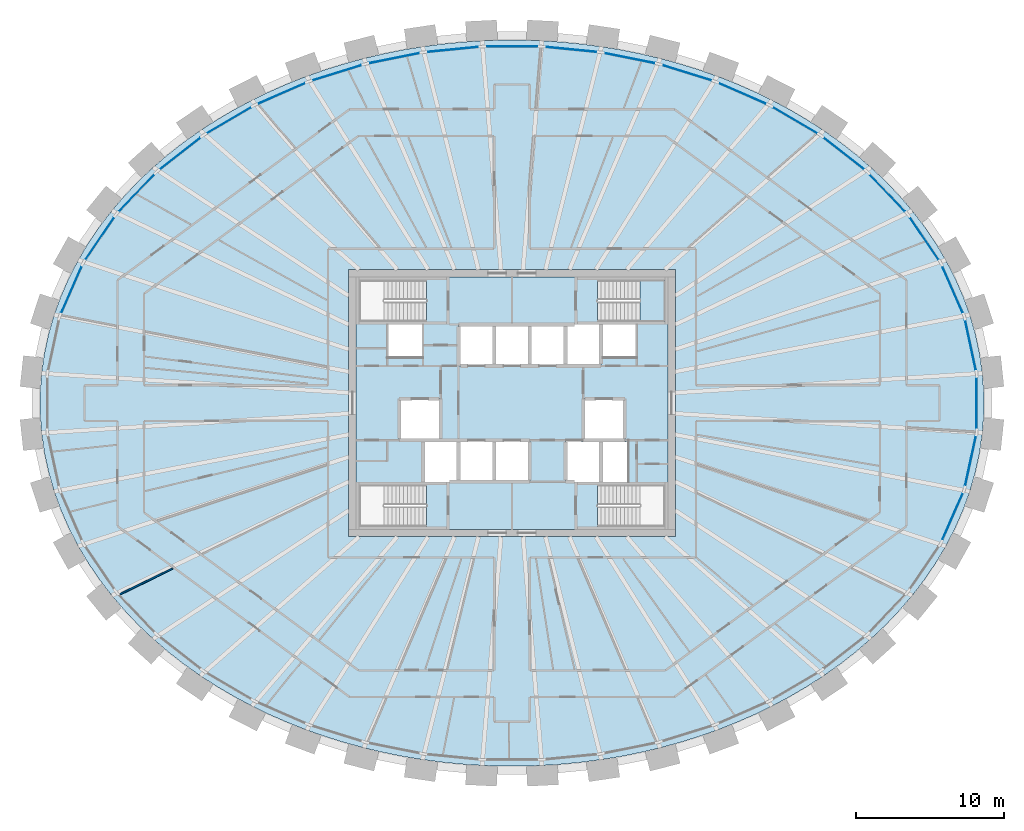
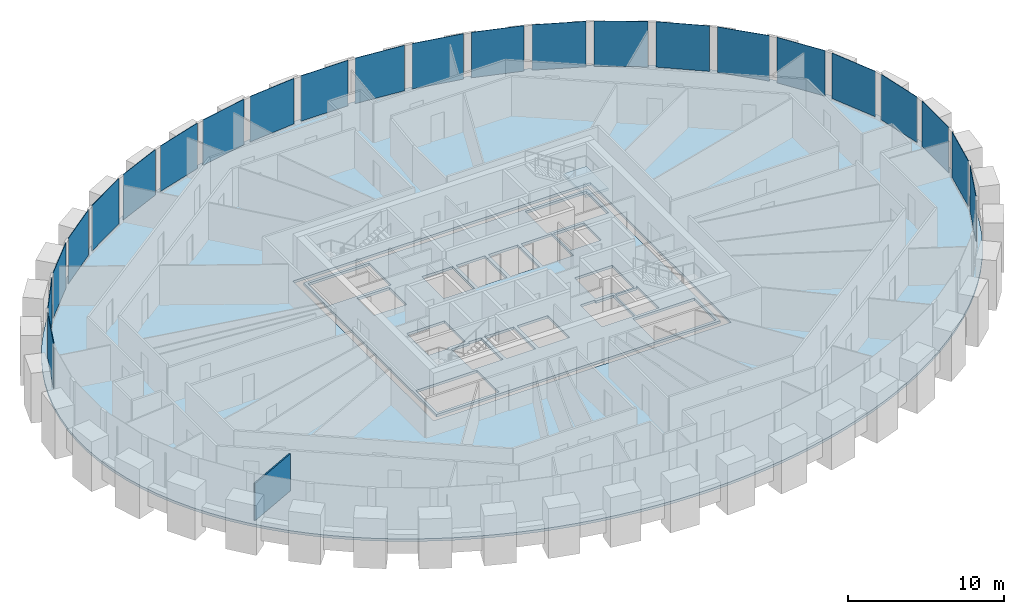
# One storey, part 5 of 12: 23 plates, 3 slabs, 1 wall, 2 elements without a shape of their own.
"""IFC4 building model written with IfcOpenShell, lengths in metres."""

from ifc_helpers import new_model, si_unit, direction, frame, frame_2d, origin, origin_2d, place, context, subcontext, project, spatial, polyline, rectangle, outline, extrude, source, transform, mapped, material, layer, layer_set, type_object, element, aggregate, save


model = new_model("IFC4")

# Units and contexts
model_context = context("Model", 3, precision=1e-05, world=origin(), true_north=direction((0.0, 1.0)))
body_context = subcontext(model_context, "Body", "Model", "MODEL_VIEW")
ifc_project = project(units=[si_unit("LENGTHUNIT", "METRE"), si_unit("AREAUNIT", "SQUARE_METRE"), si_unit("VOLUMEUNIT", "CUBIC_METRE"), si_unit("PLANEANGLEUNIT", "RADIAN"), si_unit("MASSUNIT", "GRAM", prefix="KILO")], contexts=[model_context])

# Site, building, storey
site_placement = place(None, origin())
site = spatial("IfcSite", under=ifc_project, at=site_placement, CompositionType="ELEMENT")
building_placement = place(site_placement, origin())
building = spatial("IfcBuilding", under=site, at=building_placement, Name="Embergate Tower", CompositionType="ELEMENT")
storey_placement = place(building_placement, frame((0.0, 0.0, 269.5)))
storey = spatial("IfcBuildingStorey", under=building, at=storey_placement, Name="L62", CompositionType="ELEMENT", Elevation=269.5)

# Slab
ifc_material_1 = material(Name="Concrete C40", Category="concrete")
ifc_layer_1 = layer(ifc_material_1, 0.199951171875)
ifc_layer_set_1 = layer_set([ifc_layer_1], Name="Concrete C40")
slab_type_1 = type_object("IfcSlabType", Name="Composite floor slab C40 200", PredefinedType="FLOOR", material=ifc_layer_set_1)
shared_shape_1 = source(origin(), body_context, "Body", "SweptSolid", [
    extrude(outline(polyline([(0.0, 0.0), (1.34423828125, 0.0), (2.688232421875, 0.044189453125), (4.033203125, 0.132080078125), (5.37109375, 0.26416015625), (6.701171875, 0.439208984375), (8.033203125, 0.6591796875), (9.35205078125, 0.924072265625), (10.654052734375, 1.232177734375), (11.960205078125, 1.588134765625), (13.244140625, 1.988037109375), (14.504150390625, 2.43017578125), (15.76611328125, 2.926025390625), (16.998046875, 3.465087890625), (18.197998046875, 4.046142578125), (19.396240234375, 4.68603515625), (20.55517578125, 5.3671875), (21.673095703125, 6.089111328125), (22.7822265625, 6.876220703125), (23.842041015625, 7.7041015625), (24.85009765625, 8.569091796875), (25.839111328125, 9.505126953125), (26.76708984375, 10.47802734375), (27.631103515625, 11.485107421875), (28.460205078125, 12.565185546875), (29.216064453125, 13.676025390625), (29.896240234375, 14.816162109375), (30.52001953125, 16.023193359375), (31.06005859375, 17.254150390625), (31.51416015625, 18.505126953125), (31.88916015625, 19.80419921875), (32.172119140625, 21.1181640625), (32.361083984375, 22.441162109375), (32.45703125, 23.781982421875), (32.45703125, 25.126220703125), (32.361083984375, 26.467041015625), (32.172119140625, 27.7900390625), (31.88916015625, 29.10400390625), (31.51416015625, 30.403076171875), (31.06005859375, 31.654052734375), (30.52001953125, 32.885009765625), (29.896240234375, 34.092041015625), (29.216064453125, 35.232177734375), (28.460205078125, 36.343017578125), (27.631103515625, 37.423095703125), (26.76708984375, 38.43017578125), (25.839111328125, 39.403076171875), (24.85009765625, 40.339111328125), (23.842041015625, 41.2041015625), (22.7822265625, 42.031982421875), (21.673095703125, 42.819091796875), (20.55517578125, 43.541015625), (19.396240234375, 44.22216796875), (18.197998046875, 44.862060546875), (16.998046875, 45.443115234375), (15.76611328125, 45.982177734375), (14.504150390625, 46.47802734375), (13.244140625, 46.920166015625), (11.960205078125, 47.320068359375), (10.654052734375, 47.676025390625), (9.35205078125, 47.984130859375), (8.033203125, 48.2490234375), (6.701171875, 48.468994140625), (5.37109375, 48.64404296875), (4.033203125, 48.776123046875), (2.688232421875, 48.864013671875), (1.34423828125, 48.908203125), (0.0, 48.908203125), (-1.343994140625, 48.864013671875), (-2.68896484375, 48.776123046875), (-4.02685546875, 48.64404296875), (-5.35693359375, 48.468994140625), (-6.68896484375, 48.2490234375), (-8.0078125, 47.984130859375), (-9.309814453125, 47.676025390625), (-10.615966796875, 47.320068359375), (-11.89990234375, 46.920166015625), (-13.159912109375, 46.47802734375), (-14.421875, 45.982177734375), (-15.65380859375, 45.443115234375), (-16.853759765625, 44.862060546875), (-18.052001953125, 44.22216796875), (-19.2109375, 43.541015625), (-20.328857421875, 42.819091796875), (-21.43798828125, 42.031982421875), (-22.497802734375, 41.2041015625), (-23.505859375, 40.339111328125), (-24.494873046875, 39.403076171875), (-25.4228515625, 38.43017578125), (-26.286865234375, 37.423095703125), (-27.115966796875, 36.343017578125), (-27.871826171875, 35.232177734375), (-28.552001953125, 34.092041015625), (-29.17578125, 32.885009765625), (-29.7158203125, 31.654052734375), (-30.169921875, 30.403076171875), (-30.544921875, 29.10400390625), (-30.827880859375, 27.7900390625), (-31.016845703125, 26.467041015625), (-31.11279296875, 25.126220703125), (-31.11279296875, 23.781982421875), (-31.016845703125, 22.441162109375), (-30.827880859375, 21.1181640625), (-30.544921875, 19.80419921875), (-30.169921875, 18.505126953125), (-29.7158203125, 17.254150390625), (-29.17578125, 16.023193359375), (-28.552001953125, 14.816162109375), (-27.871826171875, 13.676025390625), (-27.115966796875, 12.565185546875), (-26.286865234375, 11.485107421875), (-25.4228515625, 10.47802734375), (-24.494873046875, 9.505126953125), (-23.505859375, 8.569091796875), (-22.497802734375, 7.7041015625), (-21.43798828125, 6.876220703125), (-20.328857421875, 6.089111328125), (-19.2109375, 5.3671875), (-18.052001953125, 4.68603515625), (-16.853759765625, 4.046142578125), (-15.65380859375, 3.465087890625), (-14.421875, 2.926025390625), (-13.159912109375, 2.43017578125), (-11.89990234375, 1.988037109375), (-10.615966796875, 1.588134765625), (-9.309814453125, 1.232177734375), (-8.0078125, 0.924072265625), (-6.68896484375, 0.6591796875), (-5.35693359375, 0.439208984375), (-4.02685546875, 0.26416015625), (-2.68896484375, 0.132080078125), (-1.343994140625, 0.044189453125), (0.0, 0.0)]), holes=[polyline([(-10.327880859375, 15.4541015625), (-10.327880859375, 33.4541015625), (11.672119140625, 33.4541015625), (11.672119140625, 15.4541015625), (-10.327880859375, 15.4541015625)])]), origin(), (0.0, 0.0, 1.0), 0.199951171875),
])
slab_1_placement = place(storey_placement, frame((-0.672119140625, -24.4541015625, -0.199951171875)))
element("IfcSlab", 1, at=slab_1_placement, inside=storey, type_object=slab_type_1, Name="SLB-L62-00", PredefinedType="FLOOR", context=body_context, shape_type="MappedRepresentation", body=[
    mapped(shared_shape_1, transform((0.0, 0.0, 0.0))),
])

# Curtain wall, plates
ifc_material_2 = material(Name="Aluminium and glass", Category="aluminium")
curtain_wall_type = type_object("IfcCurtainWallType", Name="Recessed office glazing", PredefinedType="NOTDEFINED", material=ifc_material_2)
curtain_wall_placement = place(storey_placement, origin())
curtain_wall = element("IfcCurtainWall", 2, at=curtain_wall_placement, inside=storey, type_object=curtain_wall_type, Name="Recessed office glazing ring", ObjectType="RECESSED OFFICE GLAZING", PredefinedType="USERDEFINED")
ifc_material_3 = material(Name="Triple glazing, low-emissivity coating", Category="glass")
ifc_layer_2 = layer(ifc_material_3, 0.035888671875)
ifc_layer_set_2 = layer_set([ifc_layer_2], Name="Triple glazing, low-emissivity coating")
plate_type = type_object("IfcPlateType", Name="Office glazing unit", PredefinedType="CURTAIN_PANEL", material=ifc_layer_set_2)
shared_shape_2 = source(origin(), body_context, "Body", "SweptSolid", [
    extrude(rectangle(XDim=3.42529296875, YDim=0.035888671875, at=origin_2d()), origin(), (0.0, 0.0, 1.0), 3.550048828125),
])
plate_1_placement = place(storey_placement, frame((30.88623046875, 3.89990234375, 0.14990234375), z_axis=(0.0, 0.0, 1.0), x_axis=(-0.210401803698, 0.977614996305, 0.0)))
plate_1 = element("IfcPlate", 3, at=plate_1_placement, type_object=plate_type, Name="CW panel 1.1", PredefinedType="CURTAIN_PANEL", context=body_context, shape_type="MappedRepresentation", body=[
    mapped(shared_shape_2, transform((0.0, 0.0, 0.0))),
])
plate_2_placement = place(storey_placement, frame((30.88623046875, -3.89990234375, 0.14990234375), z_axis=(0.0, 0.0, 1.0), x_axis=(0.210401803698, 0.977614996305, 0.0)))
plate_2 = element("IfcPlate", 4, at=plate_2_placement, type_object=plate_type, Name="CW panel 43.1", PredefinedType="CURTAIN_PANEL", context=body_context, shape_type="MappedRepresentation", body=[
    mapped(shared_shape_2, transform((0.0, 0.0, 0.0))),
])
shared_shape_3 = source(origin(), body_context, "Body", "SweptSolid", [
    extrude(rectangle(XDim=3.43212890625, YDim=0.035888671875, at=origin_2d()), origin(), (0.0, 0.0, 1.0), 3.550048828125),
])
plate_3_placement = place(storey_placement, frame((29.677490234375, 7.63818359375, 0.14990234375), z_axis=(0.0, 0.0, 1.0), x_axis=(-0.401658494584, 0.915789524797, 0.0)))
plate_3 = element("IfcPlate", 5, at=plate_3_placement, type_object=plate_type, Name="CW panel 2.1", PredefinedType="CURTAIN_PANEL", context=body_context, shape_type="MappedRepresentation", body=[
    mapped(shared_shape_3, transform((0.0, 0.0, 0.0))),
])
plate_4_placement = place(storey_placement, frame((-29.677490234375, 7.63818359375, 0.14990234375), z_axis=(0.0, 0.0, 1.0), x_axis=(-0.401658494584, -0.915789524797, 0.0)))
plate_4 = element("IfcPlate", 6, at=plate_4_placement, type_object=plate_type, Name="CW panel 20.1", PredefinedType="CURTAIN_PANEL", context=body_context, shape_type="MappedRepresentation", body=[
    mapped(shared_shape_3, transform((0.0, 0.0, 0.0))),
])
plate_5_placement = place(storey_placement, frame((29.677490234375, -7.63818359375, 0.14990234375), z_axis=(0.0, 0.0, 1.0), x_axis=(0.401658494584, 0.915789524797, 0.0)))
plate_5 = element("IfcPlate", 7, at=plate_5_placement, type_object=plate_type, Name="CW panel 42.1", PredefinedType="CURTAIN_PANEL", context=body_context, shape_type="MappedRepresentation", body=[
    mapped(shared_shape_3, transform((0.0, 0.0, 0.0))),
])
shared_shape_4 = source(origin(), body_context, "Body", "SweptSolid", [
    extrude(rectangle(XDim=3.44091796875, YDim=0.035888671875, at=origin_2d()), origin(), (0.0, 0.0, 1.0), 3.550048828125),
])
plate_6_placement = place(storey_placement, frame((27.77001953125, 11.08544921875, 0.14990234375), z_axis=(0.0, 0.0, 1.0), x_axis=(-0.562348958001, 0.826900023845, 0.0)))
plate_6 = element("IfcPlate", 8, at=plate_6_placement, type_object=plate_type, Name="CW panel 3.1", PredefinedType="CURTAIN_PANEL", context=body_context, shape_type="MappedRepresentation", body=[
    mapped(shared_shape_4, transform((0.0, 0.0, 0.0))),
])
plate_7_placement = place(storey_placement, frame((-27.77001953125, 11.08544921875, 0.14990234375), z_axis=(0.0, 0.0, 1.0), x_axis=(-0.562348958001, -0.826900023845, 0.0)))
plate_7 = element("IfcPlate", 9, at=plate_7_placement, type_object=plate_type, Name="CW panel 19.1", PredefinedType="CURTAIN_PANEL", context=body_context, shape_type="MappedRepresentation", body=[
    mapped(shared_shape_4, transform((0.0, 0.0, 0.0))),
])
shared_shape_5 = source(origin(), body_context, "Body", "SweptSolid", [
    extrude(rectangle(XDim=3.44921875, YDim=0.035888671875, at=origin_2d()), origin(), (0.0, 0.0, 1.0), 3.550048828125),
])
plate_8_placement = place(storey_placement, frame((25.28662109375, 14.1591796875, 0.14990234375), z_axis=(0.0, 0.0, 1.0), x_axis=(-0.6901388367, 0.723676990154, 0.0)))
plate_8 = element("IfcPlate", 10, at=plate_8_placement, type_object=plate_type, Name="CW panel 4.1", PredefinedType="CURTAIN_PANEL", context=body_context, shape_type="MappedRepresentation", body=[
    mapped(shared_shape_5, transform((0.0, 0.0, 0.0))),
])
plate_9_placement = place(storey_placement, frame((-25.28662109375, 14.1591796875, 0.14990234375), z_axis=(0.0, 0.0, 1.0), x_axis=(-0.6901388367, -0.723676990154, 0.0)))
plate_9 = element("IfcPlate", 11, at=plate_9_placement, type_object=plate_type, Name="CW panel 18.1", PredefinedType="CURTAIN_PANEL", context=body_context, shape_type="MappedRepresentation", body=[
    mapped(shared_shape_5, transform((0.0, 0.0, 0.0))),
])
shared_shape_6 = source(origin(), body_context, "Body", "SweptSolid", [
    extrude(rectangle(XDim=3.456787109375, YDim=0.035888671875, at=origin_2d()), origin(), (0.0, 0.0, 1.0), 3.550048828125),
])
plate_10_placement = place(storey_placement, frame((22.349609375, 16.81884765625, 0.14990234375), z_axis=(0.0, 0.0, 1.0), x_axis=(-0.788323340765, 0.615261172515, 0.0)))
plate_10 = element("IfcPlate", 12, at=plate_10_placement, type_object=plate_type, Name="CW panel 5.1", PredefinedType="CURTAIN_PANEL", context=body_context, shape_type="MappedRepresentation", body=[
    mapped(shared_shape_6, transform((0.0, 0.0, 0.0))),
])
plate_11_placement = place(storey_placement, frame((-22.349609375, 16.81884765625, 0.14990234375), z_axis=(0.0, 0.0, 1.0), x_axis=(-0.788323340765, -0.615261172515, 0.0)))
plate_11 = element("IfcPlate", 13, at=plate_11_placement, type_object=plate_type, Name="CW panel 17.1", PredefinedType="CURTAIN_PANEL", context=body_context, shape_type="MappedRepresentation", body=[
    mapped(shared_shape_6, transform((0.0, 0.0, 0.0))),
])
shared_shape_7 = source(origin(), body_context, "Body", "SweptSolid", [
    extrude(rectangle(XDim=3.462646484375, YDim=0.035888671875, at=origin_2d()), origin(), (0.0, 0.0, 1.0), 3.550048828125),
])
plate_12_placement = place(storey_placement, frame((19.0654296875, 19.051513671875, 0.14990234375), z_axis=(0.0, 0.0, 1.0), x_axis=(-0.862054936934, 0.506814843614, 0.0)))
plate_12 = element("IfcPlate", 14, at=plate_12_placement, type_object=plate_type, Name="CW panel 6.1", PredefinedType="CURTAIN_PANEL", context=body_context, shape_type="MappedRepresentation", body=[
    mapped(shared_shape_7, transform((0.0, 0.0, 0.0))),
])
plate_13_placement = place(storey_placement, frame((-19.0654296875, 19.051513671875, 0.14990234375), z_axis=(0.0, 0.0, 1.0), x_axis=(-0.862054936934, -0.506814843614, 0.0)))
plate_13 = element("IfcPlate", 15, at=plate_13_placement, type_object=plate_type, Name="CW panel 16.1", PredefinedType="CURTAIN_PANEL", context=body_context, shape_type="MappedRepresentation", body=[
    mapped(shared_shape_7, transform((0.0, 0.0, 0.0))),
])
shared_shape_8 = source(origin(), body_context, "Body", "SweptSolid", [
    extrude(rectangle(XDim=3.467041015625, YDim=0.035888671875, at=origin_2d()), origin(), (0.0, 0.0, 1.0), 3.550048828125),
])
plate_14_placement = place(storey_placement, frame((15.5224609375, 20.859375, 0.14990234375), z_axis=(0.0, 0.0, 1.0), x_axis=(-0.916237610228, 0.400635297502, 0.0)))
plate_14 = element("IfcPlate", 16, at=plate_14_placement, type_object=plate_type, Name="CW panel 7.1", PredefinedType="CURTAIN_PANEL", context=body_context, shape_type="MappedRepresentation", body=[
    mapped(shared_shape_8, transform((0.0, 0.0, 0.0))),
])
plate_15_placement = place(storey_placement, frame((-15.5224609375, 20.859375, 0.14990234375), z_axis=(0.0, 0.0, 1.0), x_axis=(-0.916237610228, -0.400635297502, 0.0)))
plate_15 = element("IfcPlate", 17, at=plate_15_placement, type_object=plate_type, Name="CW panel 15.1", PredefinedType="CURTAIN_PANEL", context=body_context, shape_type="MappedRepresentation", body=[
    mapped(shared_shape_8, transform((0.0, 0.0, 0.0))),
])
shared_shape_9 = source(origin(), body_context, "Body", "SweptSolid", [
    extrude(rectangle(XDim=3.47021484375, YDim=0.035888671875, at=origin_2d()), origin(), (0.0, 0.0, 1.0), 3.550048828125),
])
plate_16_placement = place(storey_placement, frame((11.791015625, 22.251220703125, 0.14990234375), z_axis=(0.0, 0.0, 1.0), x_axis=(-0.954772736126, 0.297336547283, 0.0)))
plate_16 = element("IfcPlate", 18, at=plate_16_placement, type_object=plate_type, Name="CW panel 8.1", PredefinedType="CURTAIN_PANEL", context=body_context, shape_type="MappedRepresentation", body=[
    mapped(shared_shape_9, transform((0.0, 0.0, 0.0))),
])
plate_17_placement = place(storey_placement, frame((-11.791015625, 22.251220703125, 0.14990234375), z_axis=(0.0, 0.0, 1.0), x_axis=(-0.954772736126, -0.297336547283, 0.0)))
plate_17 = element("IfcPlate", 19, at=plate_17_placement, type_object=plate_type, Name="CW panel 14.1", PredefinedType="CURTAIN_PANEL", context=body_context, shape_type="MappedRepresentation", body=[
    mapped(shared_shape_9, transform((0.0, 0.0, 0.0))),
])
shared_shape_10 = source(origin(), body_context, "Body", "SweptSolid", [
    extrude(rectangle(XDim=3.472412109375, YDim=0.035888671875, at=origin_2d()), origin(), (0.0, 0.0, 1.0), 3.550048828125),
])
plate_18_placement = place(storey_placement, frame((7.928955078125, 23.237060546875, 0.14990234375), z_axis=(0.0, 0.0, 1.0), x_axis=(-0.980476250608, 0.196637539636, 0.0)))
plate_18 = element("IfcPlate", 20, at=plate_18_placement, type_object=plate_type, Name="CW panel 9.1", PredefinedType="CURTAIN_PANEL", context=body_context, shape_type="MappedRepresentation", body=[
    mapped(shared_shape_10, transform((0.0, 0.0, 0.0))),
])
plate_19_placement = place(storey_placement, frame((-7.928955078125, 23.237060546875, 0.14990234375), z_axis=(0.0, 0.0, 1.0), x_axis=(-0.980476250608, -0.196637539636, 0.0)))
plate_19 = element("IfcPlate", 21, at=plate_19_placement, type_object=plate_type, Name="CW panel 13.1", PredefinedType="CURTAIN_PANEL", context=body_context, shape_type="MappedRepresentation", body=[
    mapped(shared_shape_10, transform((0.0, 0.0, 0.0))),
])
shared_shape_11 = source(origin(), body_context, "Body", "SweptSolid", [
    extrude(rectangle(XDim=3.4736328125, YDim=0.035888671875, at=origin_2d()), origin(), (0.0, 0.0, 1.0), 3.550048828125),
])
plate_20_placement = place(storey_placement, frame((3.984375, 23.824951171875, 0.14990234375), z_axis=(0.0, 0.0, 1.0), x_axis=(-0.995203355531, 0.09782781373, 0.0)))
plate_20 = element("IfcPlate", 22, at=plate_20_placement, type_object=plate_type, Name="CW panel 10.1", PredefinedType="CURTAIN_PANEL", context=body_context, shape_type="MappedRepresentation", body=[
    mapped(shared_shape_11, transform((0.0, 0.0, 0.0))),
])
plate_21_placement = place(storey_placement, frame((-3.984375, 23.824951171875, 0.14990234375), z_axis=(0.0, 0.0, 1.0), x_axis=(-0.995203355531, -0.09782781373, 0.0)))
plate_21 = element("IfcPlate", 23, at=plate_21_placement, type_object=plate_type, Name="CW panel 12.1", PredefinedType="CURTAIN_PANEL", context=body_context, shape_type="MappedRepresentation", body=[
    mapped(shared_shape_11, transform((0.0, 0.0, 0.0))),
])
shared_shape_12 = source(origin(), body_context, "Body", "SweptSolid", [
    extrude(rectangle(XDim=3.47412109375, YDim=0.035888671875, at=origin_2d()), origin(), (0.0, 0.0, 1.0), 3.550048828125),
])
plate_22_placement = place(storey_placement, frame((0.0, 24.020263671875, 0.14990234375), z_axis=(0.0, 0.0, 1.0), x_axis=(-1.0, 0.0, 0.0)))
plate_22 = element("IfcPlate", 24, at=plate_22_placement, type_object=plate_type, Name="CW panel 11.1", PredefinedType="CURTAIN_PANEL", context=body_context, shape_type="MappedRepresentation", body=[
    mapped(shared_shape_12, transform((0.0, 0.0, 0.0))),
])
shared_shape_13 = source(origin(), body_context, "Body", "SweptSolid", [
    extrude(rectangle(XDim=3.4228515625, YDim=0.035888671875, at=origin_2d()), origin(), (0.0, 0.0, 1.0), 3.550048828125),
])
plate_23_placement = place(storey_placement, frame((31.301513671875, 0.0, 0.14990234375), z_axis=(0.0, 0.0, 1.0), x_axis=(0.0, 1.0, 0.0)))
plate_23 = element("IfcPlate", 25, at=plate_23_placement, type_object=plate_type, Name="CW panel 44.1", PredefinedType="CURTAIN_PANEL", context=body_context, shape_type="MappedRepresentation", body=[
    mapped(shared_shape_13, transform((0.0, 0.0, 0.0))),
])
aggregate(curtain_wall, [plate_1, plate_3, plate_6, plate_8, plate_10, plate_12, plate_14, plate_16, plate_18, plate_20, plate_22, plate_21, plate_19, plate_17, plate_15, plate_13, plate_11, plate_9, plate_7, plate_4, plate_5, plate_2, plate_23])

# Stair, slab
ifc_material_4 = material(Name="Exit stair")
stair_type = type_object("IfcStairType", Name="Exit stair", PredefinedType="HALF_TURN_STAIR", material=ifc_material_4)
stair_placement = place(storey_placement, origin())
stair = element("IfcStair", 26, at=stair_placement, inside=storey, type_object=stair_type, Name="L62 Exit stair 2", PredefinedType="HALF_TURN_STAIR")
ifc_layer_3 = layer(ifc_material_1, 0.199951171875)
ifc_layer_set_3 = layer_set([ifc_layer_3], Name="Concrete C40")
slab_type_2 = type_object("IfcSlabType", Name="Stair landing reinforced concrete", PredefinedType="LANDING", material=ifc_layer_set_3)
shared_shape_14 = source(origin(), body_context, "Body", "SweptSolid", [
    extrude(outline(polyline([(0.0, 0.0), (1.68994140625, 0.0), (1.68994140625, 2.800048828125), (0.0, 2.800048828125), (0.0, 0.0)])), origin(), (0.0, 0.0, 1.0), 0.199951171875),
])
slab_2_placement = place(storey_placement, frame((8.610107421875, 5.5, 1.75)))
slab_2 = element("IfcSlab", 27, at=slab_2_placement, type_object=slab_type_2, Name="ST2 landing 1", PredefinedType="LANDING", context=body_context, shape_type="MappedRepresentation", body=[
    mapped(shared_shape_14, transform((0.0, 0.0, 0.0))),
])
aggregate(stair, [slab_2])

# Slab
ifc_layer_4 = layer(ifc_material_1, 0.199951171875)
ifc_layer_set_4 = layer_set([ifc_layer_4], Name="Concrete C40")
slab_type_3 = type_object("IfcSlabType", Name="Core floor slab 200 reinforced concrete", PredefinedType="FLOOR", material=ifc_layer_set_4)
shared_shape_15 = source(origin(), body_context, "Body", "SweptSolid", [
    extrude(outline(polyline([(0.0, 0.0), (21.0, 0.0), (21.0, 17.0), (0.0, 17.0), (0.0, 0.0)]), holes=[polyline([(0.199951171875, 0.199951171875), (0.199951171875, 3.0), (4.739990234375, 3.0), (4.739990234375, 0.199951171875), (0.199951171875, 0.199951171875)]), polyline([(16.260009765625, 0.199951171875), (16.260009765625, 3.0), (20.800048828125, 3.0), (20.800048828125, 0.199951171875), (16.260009765625, 0.199951171875)]), polyline([(4.5, 3.199951171875), (4.5, 5.875), (5.824951171875, 5.875), (5.824951171875, 6.0), (6.77490234375, 6.0), (6.77490234375, 3.199951171875), (4.5, 3.199951171875)]), polyline([(7.02490234375, 3.199951171875), (7.02490234375, 6.0), (9.175048828125, 6.0), (9.175048828125, 3.199951171875), (7.02490234375, 3.199951171875)]), polyline([(9.425048828125, 3.199951171875), (9.425048828125, 6.0), (11.699951171875, 6.0), (11.699951171875, 3.199951171875), (9.425048828125, 3.199951171875)]), polyline([(14.10009765625, 3.199951171875), (14.10009765625, 6.0), (15.175048828125, 6.0), (15.175048828125, 5.875), (16.5, 5.875), (16.5, 3.199951171875), (14.10009765625, 3.199951171875)]), polyline([(16.625, 3.199951171875), (16.625, 5.875), (18.22509765625, 5.875), (18.22509765625, 6.0), (18.300048828125, 6.0), (18.300048828125, 3.199951171875), (16.625, 3.199951171875)]), polyline([(2.89990234375, 6.0), (2.89990234375, 8.800048828125), (5.699951171875, 8.800048828125), (5.699951171875, 6.125), (4.375, 6.125), (4.375, 6.0), (2.89990234375, 6.0)]), polyline([(16.625, 6.0), (16.625, 6.125), (15.300048828125, 6.125), (15.300048828125, 8.800048828125), (18.10009765625, 8.800048828125), (18.10009765625, 6.0), (16.625, 6.0)]), polyline([(6.89990234375, 11.0), (6.89990234375, 13.800048828125), (9.175048828125, 13.800048828125), (9.175048828125, 11.0), (6.89990234375, 11.0)]), polyline([(9.425048828125, 11.0), (9.425048828125, 13.800048828125), (11.574951171875, 13.800048828125), (11.574951171875, 11.0), (9.425048828125, 11.0)]), polyline([(11.824951171875, 11.0), (11.824951171875, 13.800048828125), (13.97509765625, 13.800048828125), (13.97509765625, 11.0), (11.824951171875, 11.0)]), polyline([(14.22509765625, 11.0), (14.22509765625, 13.800048828125), (16.5, 13.800048828125), (16.5, 11.0), (14.22509765625, 11.0)]), polyline([(2.10009765625, 11.60009765625), (2.10009765625, 13.800048828125), (4.5, 13.800048828125), (4.5, 11.60009765625), (2.10009765625, 11.60009765625)]), polyline([(16.625, 11.60009765625), (16.625, 13.800048828125), (18.89990234375, 13.800048828125), (18.89990234375, 11.60009765625), (16.625, 11.60009765625)]), polyline([(0.199951171875, 14.0), (0.199951171875, 16.800048828125), (4.739990234375, 16.800048828125), (4.739990234375, 14.0), (0.199951171875, 14.0)]), polyline([(16.260009765625, 14.0), (16.260009765625, 16.800048828125), (20.800048828125, 16.800048828125), (20.800048828125, 14.0), (16.260009765625, 14.0)])]), origin(), (0.0, 0.0, 1.0), 0.199951171875),
])
slab_3_placement = place(storey_placement, frame((-10.5, -8.5, -0.199951171875)))
element("IfcSlab", 28, at=slab_3_placement, inside=storey, type_object=slab_type_3, Name="Core floor slab", PredefinedType="FLOOR", context=body_context, shape_type="MappedRepresentation", body=[
    mapped(shared_shape_15, transform((0.0, 0.0, 0.0))),
])

# Wall
ifc_material_5 = material(Name="Partition dry-lined 100")
ifc_layer_5 = layer(ifc_material_5, 0.10009765625)
ifc_layer_set_5 = layer_set([ifc_layer_5], Name="Partition dry-lined 100")
wall_type = type_object("IfcWallType", Name="Partition dry-lined 100", PredefinedType="PARTITIONING", material=ifc_layer_set_5)
shared_shape_16 = source(origin(), body_context, "Body", "SweptSolid", [
    extrude(rectangle(XDim=4.029052734375, YDim=0.10009765625, at=frame_2d((2.0146484375, 0.0))), origin(), (0.0, 0.0, 1.0), 2.89990234375),
])
wall_placement = place(storey_placement, frame((-22.863037109375, -11.14306640625, 0.0), z_axis=(0.0, 0.0, 1.0), x_axis=(-0.898961115704, -0.43802843795, 0.0)))
element("IfcWall", 29, at=wall_placement, inside=storey, type_object=wall_type, Name="IP-1 wall", PredefinedType="PARTITIONING", context=body_context, shape_type="MappedRepresentation", body=[
    mapped(shared_shape_16, transform((0.0, 0.0, 0.0))),
])

save(model, "model.ifc")
